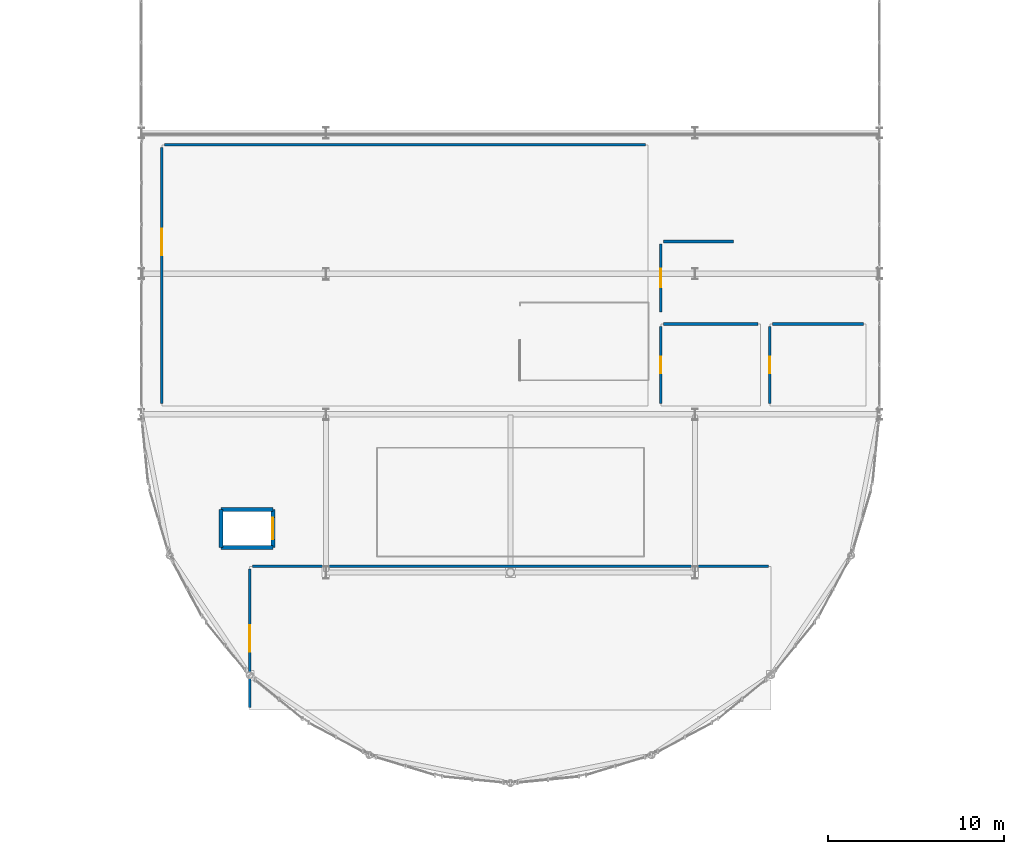
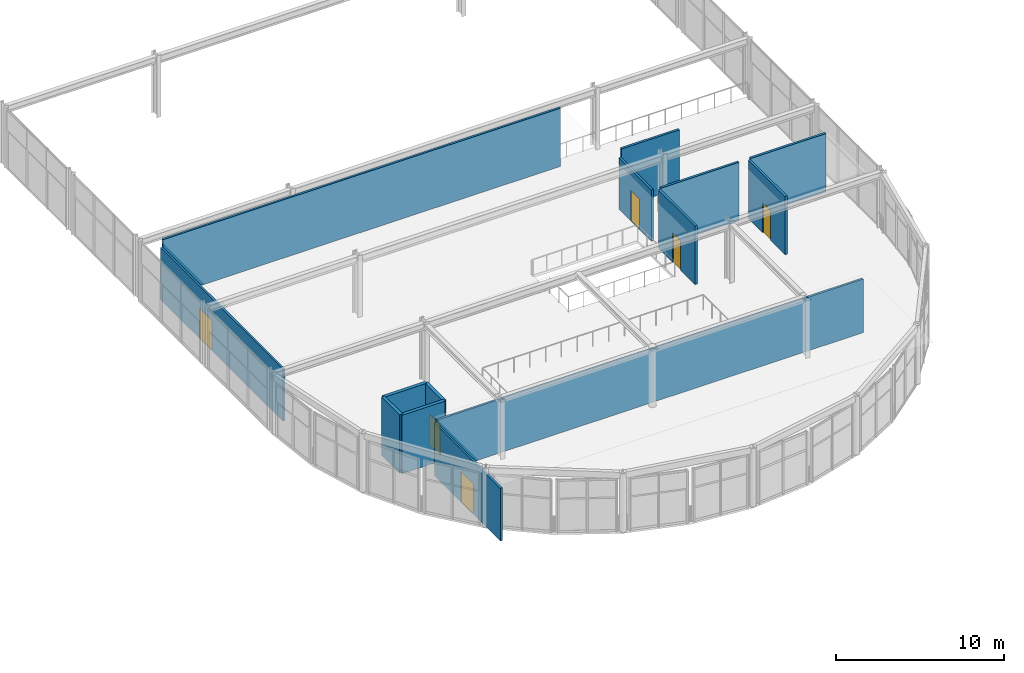
# One storey, part 58 of 105: 14 walls, 6 doors, 6 openings.
"""IFC4 building model written with IfcOpenShell, lengths in metres."""

from ifc_helpers import new_model, si_unit, direction, frame, frame_2d, origin, place, context, subcontext, project, spatial, rectangle, extrude, material, layer, layer_set, type_object, element, fill, save


model = new_model("IFC4")

# Units and contexts
model_context = context("Model", 3, precision=1e-05, world=origin(), true_north=direction((0.0, 1.0)))
body_context = subcontext(model_context, "Body", "Model", "MODEL_VIEW")
ifc_project = project(units=[si_unit("LENGTHUNIT", "METRE"), si_unit("AREAUNIT", "SQUARE_METRE"), si_unit("VOLUMEUNIT", "CUBIC_METRE"), si_unit("PLANEANGLEUNIT", "RADIAN"), si_unit("MASSUNIT", "GRAM", prefix="KILO")], contexts=[model_context])

# Site, building, storey
site_placement = place(None, origin())
site = spatial("IfcSite", under=ifc_project, at=site_placement, CompositionType="ELEMENT")
building_placement = place(site_placement, origin())
building = spatial("IfcBuilding", under=site, at=building_placement, Name="Marlcrest Central Station", CompositionType="ELEMENT")
storey_placement = place(building_placement, frame((0.0, 0.0, 15.0)))
storey = spatial("IfcBuildingStorey", under=building, at=storey_placement, Name="L03", CompositionType="ELEMENT", Elevation=15.0)

# Wall, opening, door
ifc_material_1 = material(Name="Acoustic double-stud partition")
ifc_layer_1 = layer(ifc_material_1, 0.139892578125, Name="PT-02")
ifc_layer_set_1 = layer_set([ifc_layer_1], Name="Acoustic double-stud partition")
wall_type_1 = type_object("IfcWallType", Name="PT-02", PredefinedType="PARTITIONING", material=ifc_layer_set_1)
wall_1_placement = place(storey_placement, frame((88.159912109375, 37.68994140625, 0.0), z_axis=(0.0, 0.0, 1.0), x_axis=(0.0, -1.0, 0.0)))
wall_1 = element("IfcWall", 1, at=wall_1_placement, inside=storey, type_object=wall_type_1, Name="iwall-L03-00162", PredefinedType="PARTITIONING", context=body_context, shape_type="SweptSolid", body=[
    extrude(rectangle(XDim=14.579833984375, YDim=0.139892578125, at=frame_2d((7.2900390625, 0.0))), origin(), (0.0, 0.0, 1.0), 3.800048828125),
])
opening_1_placement = place(wall_1_placement, frame((4.64404296875, 0.0, 0.0)))
opening_1 = element("IfcOpeningElement", 2, at=opening_1_placement, cuts=wall_1, Name="Opening ID-05", PredefinedType="OPENING", context=body_context, shape_type="SweptSolid", body=[
    extrude(rectangle(XDim=1.5, YDim=2.199951171875, at=frame_2d((0.75, 1.10009765625))), frame((0.0, 0.079833984375, 0.0), z_axis=(0.0, -1.0, 0.0), x_axis=(1.0, 0.0, 0.0)), (0.0, 0.0, 1.0), 0.159912109375),
])
ifc_material_2 = material(Name="Double lounge and meeting door")
door_type_1 = type_object("IfcDoorType", Name="ID-05", OperationType="DOUBLE_DOOR_SINGLE_SWING", PredefinedType="DOOR", material=ifc_material_2)
door_1_placement = place(opening_1_placement, origin())
door_1 = element("IfcDoor", 3, at=door_1_placement, inside=storey, type_object=door_type_1, Name="L03-V2S1 0092", OperationType="DOUBLE_DOOR_SINGLE_SWING", OverallHeight=2.199951171875, OverallWidth=1.5, PredefinedType="DOOR", context=body_context, shape_type="SweptSolid", body=[
    extrude(rectangle(XDim=1.5, YDim=2.199951171875, at=frame_2d((0.75, 1.10009765625))), frame((0.0, 0.02490234375, 0.0), z_axis=(0.0, -1.0, 0.0), x_axis=(1.0, 0.0, 0.0)), (0.0, 0.0, 1.0), 0.050048828125),
])
fill(opening_1, door_1)

# Wall
wall_2_placement = place(storey_placement, frame((88.31005859375, 37.840087890625, 0.0), z_axis=(0.0, 0.0, 1.0), x_axis=(1.0, 0.0, 0.0)))
element("IfcWall", 4, at=wall_2_placement, inside=storey, type_object=wall_type_1, Name="iwall-L03-00163", PredefinedType="PARTITIONING", context=body_context, shape_type="SweptSolid", body=[
    extrude(rectangle(XDim=27.3798828125, YDim=0.139892578125, at=frame_2d((13.68994140625, 0.0))), origin(), (0.0, 0.0, 1.0), 4.25),
])

# Wall, opening, door
wall_3_placement = place(storey_placement, frame((93.159912109375, 13.68994140625, 0.0), z_axis=(0.0, 0.0, 1.0), x_axis=(0.0, -1.0, 0.0)))
wall_3 = element("IfcWall", 5, at=wall_3_placement, inside=storey, type_object=wall_type_1, Name="iwall-L03-00164", PredefinedType="PARTITIONING", context=body_context, shape_type="SweptSolid", body=[
    extrude(rectangle(XDim=7.8798828125, YDim=0.139892578125, at=frame_2d((3.93994140625, 0.0))), origin(), (0.0, 0.0, 1.0), 3.844970703125),
])
opening_2_placement = place(wall_3_placement, frame((3.18994140625, 0.0, 0.0)))
opening_2 = element("IfcOpeningElement", 6, at=opening_2_placement, cuts=wall_3, Name="Opening ID-05", PredefinedType="OPENING", context=body_context, shape_type="SweptSolid", body=[
    extrude(rectangle(XDim=1.5, YDim=2.199951171875, at=frame_2d((0.75, 1.10009765625))), frame((0.0, 0.079833984375, 0.0), z_axis=(0.0, -1.0, 0.0), x_axis=(1.0, 0.0, 0.0)), (0.0, 0.0, 1.0), 0.159912109375),
])
door_2_placement = place(opening_2_placement, origin())
door_2 = element("IfcDoor", 7, at=door_2_placement, inside=storey, type_object=door_type_1, Name="L03-V2S2 0093", OperationType="DOUBLE_DOOR_SINGLE_SWING", OverallHeight=2.199951171875, OverallWidth=1.5, PredefinedType="DOOR", context=body_context, shape_type="SweptSolid", body=[
    extrude(rectangle(XDim=1.5, YDim=2.199951171875, at=frame_2d((0.75, 1.10009765625))), frame((0.0, 0.02490234375, 0.0), z_axis=(0.0, -1.0, 0.0), x_axis=(1.0, 0.0, 0.0)), (0.0, 0.0, 1.0), 0.050048828125),
])
fill(opening_2, door_2)

# Wall
wall_4_placement = place(storey_placement, frame((93.31005859375, 13.840087890625, 0.0), z_axis=(0.0, 0.0, 1.0), x_axis=(1.0, 0.0, 0.0)))
element("IfcWall", 8, at=wall_4_placement, inside=storey, type_object=wall_type_1, Name="iwall-L03-00165", PredefinedType="PARTITIONING", context=body_context, shape_type="SweptSolid", body=[
    extrude(rectangle(XDim=29.3798828125, YDim=0.139892578125, at=frame_2d((14.68994140625, 0.0))), origin(), (0.0, 0.0, 1.0), 3.905029296875),
])

# Wall, opening, door
ifc_material_3 = material(Name="Moisture-resistant tiled sanitary partition")
ifc_layer_2 = layer(ifc_material_3, 0.159912109375, Name="PT-03")
ifc_layer_set_2 = layer_set([ifc_layer_2], Name="Moisture-resistant tiled sanitary partition")
wall_type_2 = type_object("IfcWallType", Name="PT-03", PredefinedType="PARTITIONING", material=ifc_layer_set_2)
wall_5_placement = place(storey_placement, frame((116.56005859375, 27.489990234375, 0.0), z_axis=(0.0, 0.0, 1.0), x_axis=(0.0, -1.0, 0.0)))
wall_5 = element("IfcWall", 9, at=wall_5_placement, inside=storey, type_object=wall_type_2, Name="iwall-L03-00170", PredefinedType="PARTITIONING", context=body_context, shape_type="SweptSolid", body=[
    extrude(rectangle(XDim=4.3798828125, YDim=0.159912109375, at=frame_2d((2.18994140625, 0.0))), origin(), (0.0, 0.0, 1.0), 4.25),
])
opening_3_placement = place(wall_5_placement, frame((1.715087890625, 0.0, 0.0)))
opening_3 = element("IfcOpeningElement", 10, at=opening_3_placement, cuts=wall_5, Name="Opening ID-01", PredefinedType="OPENING", context=body_context, shape_type="SweptSolid", body=[
    extrude(rectangle(XDim=0.949951171875, YDim=2.14990234375, at=frame_2d((0.47509765625, 1.074951171875))), frame((0.0, 0.08984375, 0.0), z_axis=(0.0, -1.0, 0.0), x_axis=(1.0, 0.0, 0.0)), (0.0, 0.0, 1.0), 0.179931640625),
])
ifc_material_4 = material(Name="Solid-core hardwood acoustic door", Category="wood")
door_type_2 = type_object("IfcDoorType", Name="ID-01", OperationType="NOTDEFINED", PredefinedType="DOOR", material=ifc_material_4)
door_3_placement = place(opening_3_placement, origin())
door_3 = element("IfcDoor", 11, at=door_3_placement, inside=storey, type_object=door_type_2, Name="L03-WC-C1 0096", OperationType="SINGLE_SWING_LEFT", OverallHeight=2.14990234375, OverallWidth=0.949951171875, PredefinedType="DOOR", context=body_context, shape_type="SweptSolid", body=[
    extrude(rectangle(XDim=0.949951171875, YDim=2.14990234375, at=frame_2d((0.47509765625, 1.074951171875))), frame((0.0, 0.02490234375, 0.0), z_axis=(0.0, -1.0, 0.0), x_axis=(1.0, 0.0, 0.0)), (0.0, 0.0, 1.0), 0.050048828125),
])
fill(opening_3, door_3)

# Wall
wall_6_placement = place(storey_placement, frame((116.7099609375, 27.639892578125, 0.0), z_axis=(0.0, 0.0, 1.0), x_axis=(1.0, 0.0, 0.0)))
element("IfcWall", 12, at=wall_6_placement, inside=storey, type_object=wall_type_2, Name="iwall-L03-00171", PredefinedType="PARTITIONING", context=body_context, shape_type="SweptSolid", body=[
    extrude(rectangle(XDim=5.380126953125, YDim=0.159912109375, at=frame_2d((2.68994140625, 0.0))), origin(), (0.0, 0.0, 1.0), 4.25),
])

# Wall, opening, door
wall_7_placement = place(storey_placement, frame((122.760009765625, 27.489990234375, 0.0), z_axis=(0.0, 0.0, 1.0), x_axis=(0.0, -1.0, 0.0)))
wall_7 = element("IfcWall", 13, at=wall_7_placement, inside=storey, type_object=wall_type_2, Name="iwall-L03-00172", PredefinedType="PARTITIONING", context=body_context, shape_type="SweptSolid", body=[
    extrude(rectangle(XDim=4.3798828125, YDim=0.159912109375, at=frame_2d((2.18994140625, 0.0))), origin(), (0.0, 0.0, 1.0), 4.25),
])
opening_4_placement = place(wall_7_placement, frame((1.715087890625, 0.0, 0.0)))
opening_4 = element("IfcOpeningElement", 14, at=opening_4_placement, cuts=wall_7, Name="Opening ID-01", PredefinedType="OPENING", context=body_context, shape_type="SweptSolid", body=[
    extrude(rectangle(XDim=0.949951171875, YDim=2.14990234375, at=frame_2d((0.47509765625, 1.074951171875))), frame((0.0, 0.08984375, 0.0), z_axis=(0.0, -1.0, 0.0), x_axis=(1.0, 0.0, 0.0)), (0.0, 0.0, 1.0), 0.179931640625),
])
door_4_placement = place(opening_4_placement, origin())
door_4 = element("IfcDoor", 15, at=door_4_placement, inside=storey, type_object=door_type_2, Name="L03-WC-C2 0097", OperationType="SINGLE_SWING_RIGHT", OverallHeight=2.14990234375, OverallWidth=0.949951171875, PredefinedType="DOOR", context=body_context, shape_type="SweptSolid", body=[
    extrude(rectangle(XDim=0.949951171875, YDim=2.14990234375, at=frame_2d((0.47509765625, 1.074951171875))), frame((0.0, 0.02490234375, 0.0), z_axis=(0.0, -1.0, 0.0), x_axis=(1.0, 0.0, 0.0)), (0.0, 0.0, 1.0), 0.050048828125),
])
fill(opening_4, door_4)

# Wall
wall_8_placement = place(storey_placement, frame((122.909912109375, 27.639892578125, 0.0), z_axis=(0.0, 0.0, 1.0), x_axis=(1.0, 0.0, 0.0)))
element("IfcWall", 16, at=wall_8_placement, inside=storey, type_object=wall_type_2, Name="iwall-L03-00173", PredefinedType="PARTITIONING", context=body_context, shape_type="SweptSolid", body=[
    extrude(rectangle(XDim=5.18017578125, YDim=0.159912109375, at=frame_2d((2.590087890625, 0.0))), origin(), (0.0, 0.0, 1.0), 4.25),
])

# Wall, opening, door
wall_9_placement = place(storey_placement, frame((116.56005859375, 32.18994140625, 0.0), z_axis=(0.0, 0.0, 1.0), x_axis=(0.0, -1.0, 0.0)))
wall_9 = element("IfcWall", 17, at=wall_9_placement, inside=storey, type_object=wall_type_2, Name="iwall-L03-00174", PredefinedType="PARTITIONING", context=body_context, shape_type="SweptSolid", body=[
    extrude(rectangle(XDim=3.8798828125, YDim=0.159912109375, at=frame_2d((1.93994140625, 0.0))), origin(), (0.0, 0.0, 1.0), 3.739990234375),
])
opening_5_placement = place(wall_9_placement, frame((1.4150390625, 0.0, 0.0)))
opening_5 = element("IfcOpeningElement", 18, at=opening_5_placement, cuts=wall_9, Name="Opening ID-03", PredefinedType="OPENING", context=body_context, shape_type="SweptSolid", body=[
    extrude(rectangle(XDim=1.050048828125, YDim=2.199951171875, at=frame_2d((0.52490234375, 1.10009765625))), frame((0.0, 0.08984375, 0.0), z_axis=(0.0, -1.0, 0.0), x_axis=(1.0, 0.0, 0.0)), (0.0, 0.0, 1.0), 0.179931640625),
])
ifc_material_5 = material(Name="Accessible sanitary outward-opening door")
door_type_3 = type_object("IfcDoorType", Name="ID-03", OperationType="NOTDEFINED", PredefinedType="DOOR", material=ifc_material_5)
door_5_placement = place(opening_5_placement, origin())
door_5 = element("IfcDoor", 19, at=door_5_placement, inside=storey, type_object=door_type_3, Name="L03-WC-CA 0098", OperationType="SINGLE_SWING_LEFT", OverallHeight=2.199951171875, OverallWidth=1.050048828125, PredefinedType="DOOR", context=body_context, shape_type="SweptSolid", body=[
    extrude(rectangle(XDim=1.050048828125, YDim=2.199951171875, at=frame_2d((0.52490234375, 1.10009765625))), frame((0.0, 0.02490234375, 0.0), z_axis=(0.0, -1.0, 0.0), x_axis=(1.0, 0.0, 0.0)), (0.0, 0.0, 1.0), 0.050048828125),
])
fill(opening_5, door_5)

# Walls
wall_10_placement = place(storey_placement, frame((116.7099609375, 32.340087890625, 0.0), z_axis=(0.0, 0.0, 1.0), x_axis=(1.0, 0.0, 0.0)))
element("IfcWall", 20, at=wall_10_placement, inside=storey, type_object=wall_type_2, Name="iwall-L03-00175", PredefinedType="PARTITIONING", context=body_context, shape_type="SweptSolid", body=[
    extrude(rectangle(XDim=3.97998046875, YDim=0.159912109375, at=frame_2d((1.989990234375, 0.0))), origin(), (0.0, 0.0, 1.0), 4.25),
])
ifc_material_6 = material(Name="Concrete C40/50", Category="concrete")
ifc_layer_3 = layer(ifc_material_6, 0.22998046875, Name="SHW-01")
ifc_layer_set_3 = layer_set([ifc_layer_3], Name="Concrete C40/50")
wall_type_3 = type_object("IfcWallType", Name="SHW-01", PredefinedType="SOLIDWALL", material=ifc_layer_set_3)
for number, where, z_axis, x_axis, name in (
    (21, (91.52001953125, 17.080078125, 0.0), (0.0, 0.0, 1.0), (1.0, 0.0, 0.0), "iwall-L03-00299"),
    (22, (94.47998046875, 14.919921875, 0.0), (0.0, 0.0, 1.0), (-1.0, 0.0, 0.0), "iwall-L03-00300"),
):
    element("IfcWall", number, at=place(storey_placement, frame(where, z_axis=z_axis, x_axis=x_axis)), inside=storey, type_object=wall_type_3, Name=name, PredefinedType="SOLIDWALL", context=body_context, shape_type="SweptSolid", body=[
        extrude(rectangle(XDim=2.9599609375, YDim=0.22998046875, at=frame_2d((1.47998046875, 0.0))), origin(), (0.0, 0.0, 1.0), 4.260009765625),
    ])
wall_11_placement = place(storey_placement, frame((91.52001953125, 14.919921875, 0.0), z_axis=(0.0, 0.0, 1.0), x_axis=(0.0, 1.0, 0.0)))
element("IfcWall", 23, at=wall_11_placement, inside=storey, type_object=wall_type_3, Name="iwall-L03-00301", PredefinedType="SOLIDWALL", context=body_context, shape_type="SweptSolid", body=[
    extrude(rectangle(XDim=2.16015625, YDim=0.22998046875, at=frame_2d((1.080078125, 0.0))), origin(), (0.0, 0.0, 1.0), 4.260009765625),
])

# Wall, opening, door
wall_12_placement = place(storey_placement, frame((94.47998046875, 17.080078125, 0.0), z_axis=(0.0, 0.0, 1.0), x_axis=(0.0, -1.0, 0.0)))
wall_12 = element("IfcWall", 24, at=wall_12_placement, inside=storey, type_object=wall_type_3, Name="iwall-L03-00302", PredefinedType="SOLIDWALL", context=body_context, shape_type="SweptSolid", body=[
    extrude(rectangle(XDim=2.16015625, YDim=0.22998046875, at=frame_2d((1.080078125, 0.0))), origin(), (0.0, 0.0, 1.0), 4.260009765625),
])
opening_6_placement = place(wall_12_placement, frame((0.455078125, 0.0, 0.0)))
opening_6 = element("IfcOpeningElement", 25, at=opening_6_placement, cuts=wall_12, Name="Opening LD-02", PredefinedType="OPENING", context=body_context, shape_type="SweptSolid", body=[
    extrude(rectangle(XDim=1.25, YDim=2.199951171875, at=frame_2d((0.625, 1.10009765625))), frame((0.0, 0.125, 0.0), z_axis=(0.0, -1.0, 0.0), x_axis=(1.0, 0.0, 0.0)), (0.0, 0.0, 1.0), 0.25),
])
ifc_material_7 = material(Name="Stainless steel stretcher/firefighting lift landing door", Category="steel")
door_type_4 = type_object("IfcDoorType", Name="LD-02", OperationType="DOUBLE_DOOR_SLIDING", PredefinedType="DOOR", material=ifc_material_7)
door_6_placement = place(opening_6_placement, origin())
door_6 = element("IfcDoor", 26, at=door_6_placement, inside=storey, type_object=door_type_4, Name="LF-C1 Lift Landing Door 0145", OperationType="DOUBLE_DOOR_SLIDING", OverallHeight=2.199951171875, OverallWidth=1.25, PredefinedType="DOOR", context=body_context, shape_type="SweptSolid", body=[
    extrude(rectangle(XDim=1.25, YDim=2.199951171875, at=frame_2d((0.625, 1.10009765625))), frame((0.0, 0.02490234375, 0.0), z_axis=(0.0, -1.0, 0.0), x_axis=(1.0, 0.0, 0.0)), (0.0, 0.0, 1.0), 0.050048828125),
])
fill(opening_6, door_6)

save(model, "model.ifc")
